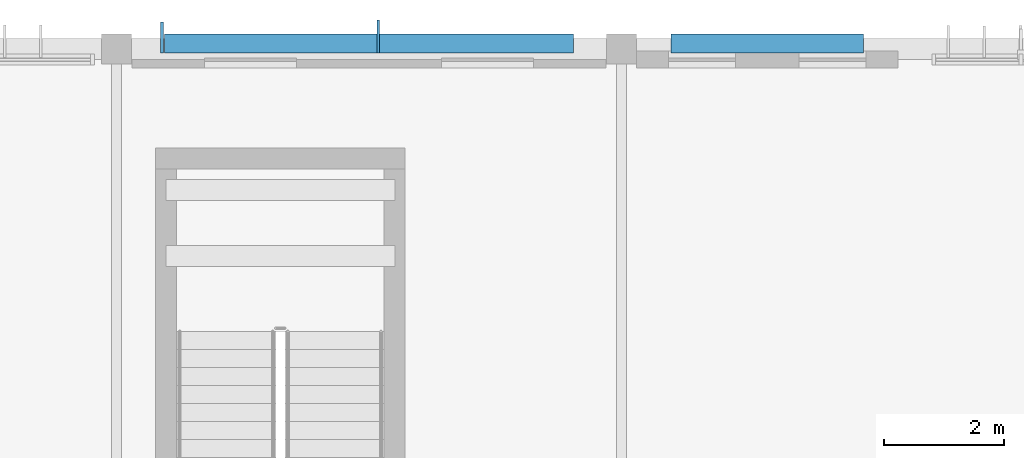
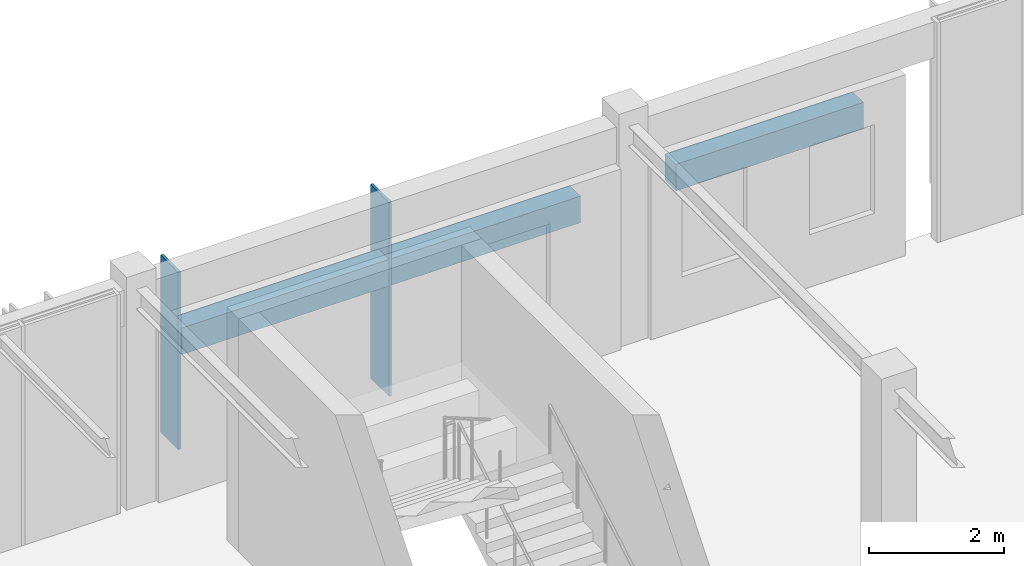
# One storey, part 31 of 104: 4 plates.
"""IFC4 building model written with IfcOpenShell, lengths in metres."""

from ifc_helpers import new_model, si_unit, direction, frame, origin, origin_2d, place, context, subcontext, project, spatial, rectangle, extrude, material, layer, layer_set, type_object, element, save


model = new_model("IFC4")

# Units and contexts
model_context = context("Model", 3, precision=1e-05, world=origin(), true_north=direction((0.0, 1.0)))
body_context = subcontext(model_context, "Body", "Model", "MODEL_VIEW")
ifc_project = project(units=[si_unit("LENGTHUNIT", "METRE"), si_unit("AREAUNIT", "SQUARE_METRE"), si_unit("VOLUMEUNIT", "CUBIC_METRE"), si_unit("PLANEANGLEUNIT", "RADIAN"), si_unit("MASSUNIT", "GRAM", prefix="KILO")], contexts=[model_context])

# Site, building, storey
site_placement = place(None, origin())
site = spatial("IfcSite", under=ifc_project, at=site_placement, CompositionType="ELEMENT")
building_placement = place(site_placement, origin())
building = spatial("IfcBuilding", under=site, at=building_placement, Name="Tazoul Stagehouse", CompositionType="ELEMENT")
storey_placement = place(building_placement, frame((0.0, 0.0, 9.0)))
storey = spatial("IfcBuildingStorey", under=building, at=storey_placement, Name="L02", CompositionType="ELEMENT", Elevation=9.0)

# Plates
ifc_material = material(Name="Anodised Bronze Aluminium 6063-T6", Category="aluminium")
ifc_layer_1 = layer(ifc_material, 0.52001953125, Name="Anodised Bronze Aluminium 6063-T6")
ifc_layer_set_1 = layer_set([ifc_layer_1], Name="Anodised Bronze Aluminium 6063-T6")
plate_type_1 = type_object("IfcPlateType", Name="Parametric Terracotta-Bronze Solar Fin 520x3200", PredefinedType="USERDEFINED", material=ifc_layer_set_1)
plate_1_placement = place(storey_placement, frame((117.7548828125, 111.989990234375, 0.64013671875), z_axis=(0.0, 0.0, 1.0), x_axis=(1.0, 0.0, 0.0)))
element("IfcPlate", 1, at=plate_1_placement, inside=storey, type_object=plate_type_1, Name="L02 Parametric Solar Fin SFN-18 (WALL-V3-N2-L02-S1-01)", ObjectType="SOLAR FIN", PredefinedType="USERDEFINED", context=body_context, shape_type="SweptSolid", body=[
    extrude(rectangle(XDim=0.044921875, YDim=0.52001953125, at=origin_2d()), origin(), (0.0, 0.0, 1.0), 3.199951171875),
])
ifc_layer_2 = layer(ifc_material, 0.550048828125, Name="Anodised Bronze Aluminium 6063-T6")
ifc_layer_set_2 = layer_set([ifc_layer_2], Name="Anodised Bronze Aluminium 6063-T6")
plate_type_2 = type_object("IfcPlateType", Name="Parametric Terracotta-Bronze Solar Fin 550x3500", PredefinedType="USERDEFINED", material=ifc_layer_set_2)
plate_2_placement = place(storey_placement, frame((121.35498046875, 112.0048828125, 0.340087890625), z_axis=(0.0, 0.0, 1.0), x_axis=(1.0, 0.0, 0.0)))
element("IfcPlate", 2, at=plate_2_placement, inside=storey, type_object=plate_type_2, Name="L02 Parametric Solar Fin SFN-21 (WALL-V3-N2-L02-S1-04)", ObjectType="SOLAR FIN", PredefinedType="USERDEFINED", context=body_context, shape_type="SweptSolid", body=[
    extrude(rectangle(XDim=0.044921875, YDim=0.550048828125, at=origin_2d()), origin(), (0.0, 0.0, 1.0), 3.5),
])
ifc_layer_3 = layer(ifc_material, 0.320068359375, Name="Anodised Bronze Aluminium 6063-T6")
ifc_layer_set_3 = layer_set([ifc_layer_3], Name="Anodised Bronze Aluminium 6063-T6")
plate_type_3 = type_object("IfcPlateType", Name="Sculpted Facade Spandrel Ribbon 3200x480", PredefinedType="USERDEFINED", material=ifc_layer_set_3)
plate_3_placement = place(storey_placement, frame((127.827392578125, 111.889892578125, 2.333984375), z_axis=(0.0, 0.0, 1.0), x_axis=(1.0, 0.0, 0.0)))
element("IfcPlate", 3, at=plate_3_placement, inside=storey, type_object=plate_type_3, Name="L02 Sculpted Facade Spandrel Ribbon FRB-04 (WALL-V3-N2-L02-S2)", ObjectType="FACADE RIBBON", PredefinedType="USERDEFINED", context=body_context, shape_type="SweptSolid", body=[
    extrude(rectangle(XDim=3.199951171875, YDim=0.320068359375, at=origin_2d()), origin(), (0.0, 0.0, 1.0), 0.47998046875),
])
ifc_layer_4 = layer(ifc_material, 0.320068359375, Name="Anodised Bronze Aluminium 6063-T6")
ifc_layer_set_4 = layer_set([ifc_layer_4], Name="Anodised Bronze Aluminium 6063-T6")
plate_type_4 = type_object("IfcPlateType", Name="Sculpted Facade Spandrel Ribbon 6800x480", PredefinedType="USERDEFINED", material=ifc_layer_set_4)
plate_4_placement = place(storey_placement, frame((121.199951171875, 111.889892578125, 2.333984375), z_axis=(0.0, 0.0, 1.0), x_axis=(1.0, 0.0, 0.0)))
element("IfcPlate", 4, at=plate_4_placement, inside=storey, type_object=plate_type_4, Name="L02 Sculpted Facade Spandrel Ribbon FRB-10 (WALL-V3-N2-L02-S1)", ObjectType="FACADE RIBBON", PredefinedType="USERDEFINED", context=body_context, shape_type="SweptSolid", body=[
    extrude(rectangle(XDim=6.800048828125, YDim=0.320068359375, at=origin_2d()), origin(), (0.0, 0.0, 1.0), 0.47998046875),
])

save(model, "model.ifc")
